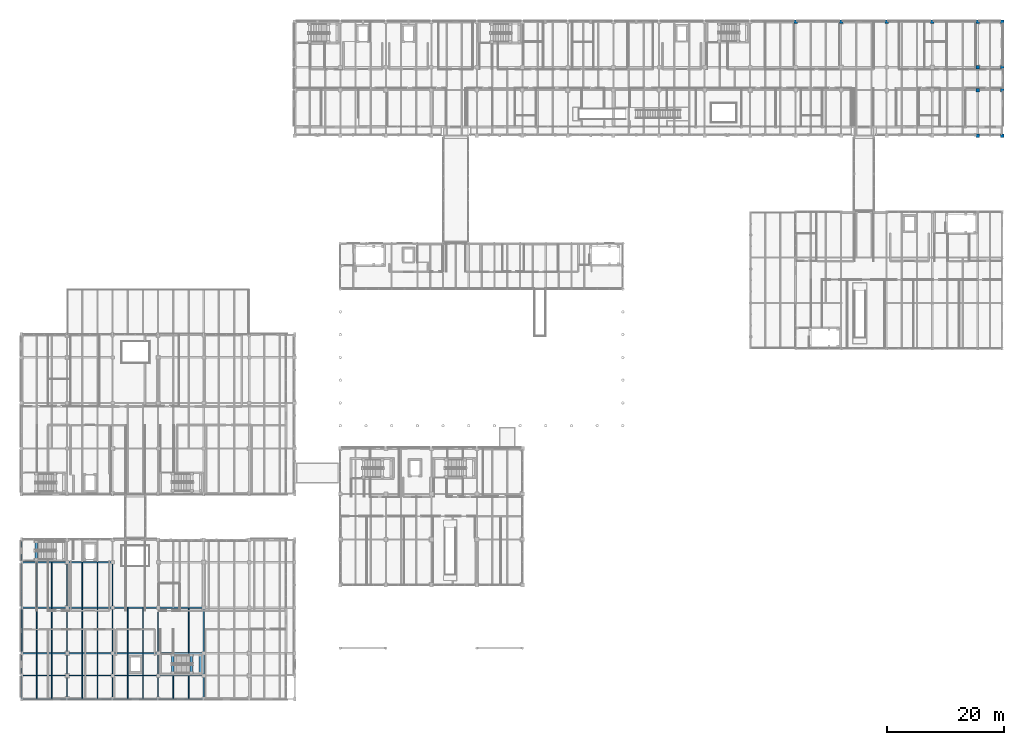
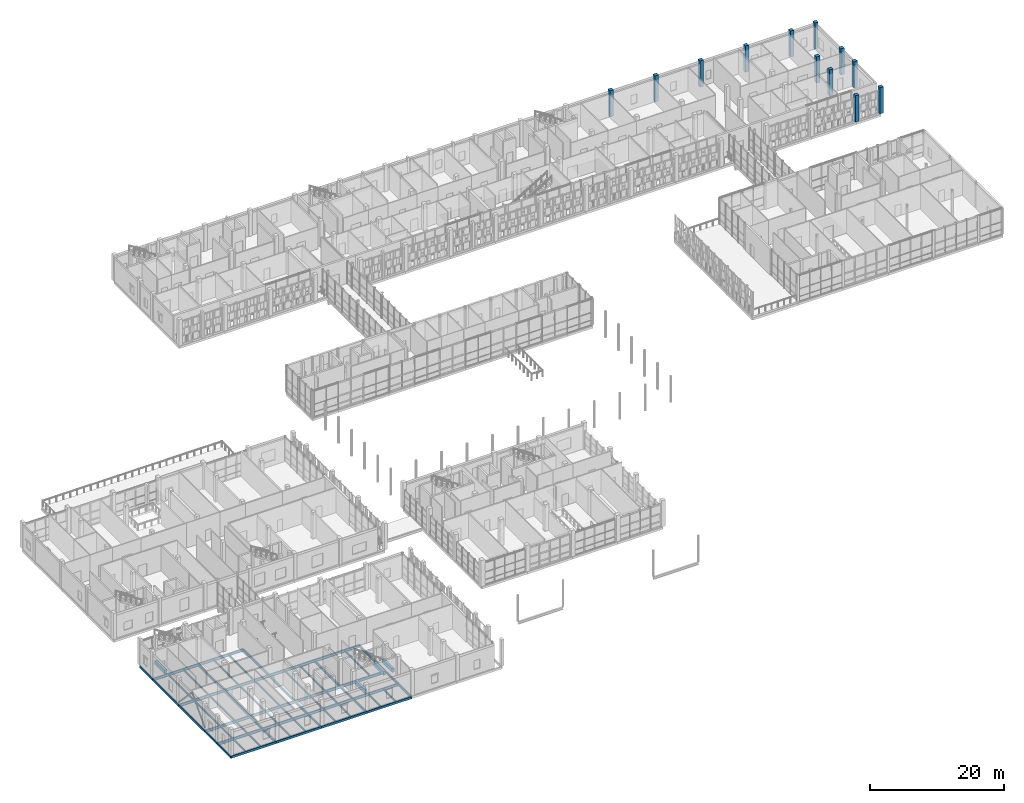
# One storey, part 20 of 138: 66 beams, 12 columns, 2 members.
"""IFC4 building model written with IfcOpenShell, lengths in metres."""

import ifcopenshell
import ifcopenshell.guid

model = None  # the IFC model being written
_history = None  # IfcOwnerHistory: only IFC2X3 demands one
_inside = {}  # id of a spatial element -> (the spatial element, [elements in it])
_under = {}  # id of a project, library or spatial element -> (it, [spatial elements below it])
_declared = {}  # id of a project -> (the project, [libraries it declares])
_typed = {}  # id of a type object -> (the type object, [elements of that type])
_made_of = {}  # id of a material, layer set ... -> (it, [elements and type objects made of it])


def new_model(schema):
    """Start an empty IFC model of exactly this schema.

    Asked for "IFC4X3", IfcOpenShell would pick the latest addendum, in which some entities
    have other attributes; the version numbers below select the first issue.
    IFC2X3 requires an IfcOwnerHistory on every rooted entity: one is made here for all.
    """
    global model, _history
    if schema == "IFC4X3":
        model = ifcopenshell.file(schema_version=(4, 3, 0, 0))
    else:
        model = ifcopenshell.file(schema=schema)
    _inside.clear()
    _under.clear()
    _declared.clear()
    _typed.clear()
    _made_of.clear()
    _history = None
    if model.schema == "IFC2X3":
        org = make("IfcOrganization", Name="unknown")
        user = make(
            "IfcPersonAndOrganization",
            ThePerson=make("IfcPerson", FamilyName="unknown"),
            TheOrganization=org,
        )
        app = make(
            "IfcApplication",
            ApplicationDeveloper=org,
            Version="unknown",
            ApplicationFullName="unknown",
            ApplicationIdentifier="unknown",
        )
        _history = make(
            "IfcOwnerHistory",
            OwningUser=user,
            OwningApplication=app,
            ChangeAction="ADDED",
            CreationDate=0,
        )
    return model


def make(cls, **values):
    """One entity of the class cls with the attributes given. An attribute that is None is left unset."""
    return model.create_entity(
        cls, **{name: value for name, value in values.items() if value is not None}
    )


def rooted(cls, **values):
    """An entity with a GlobalId (a new one), such as an element, a storey or a relation."""
    return make(cls, GlobalId=ifcopenshell.guid.new(), OwnerHistory=_history, **values)


def si_unit(unit_type, name, prefix=None):
    """IfcSIUnit, for example si_unit("LENGTHUNIT", "METRE", prefix="MILLI")."""
    return make("IfcSIUnit", UnitType=unit_type, Prefix=prefix, Name=name)


def assignment(units):
    """IfcUnitAssignment: the units of a project."""
    return None if units is None else make("IfcUnitAssignment", Units=units)


def point(xyz):
    """IfcCartesianPoint."""
    return None if xyz is None else make("IfcCartesianPoint", Coordinates=xyz)


def direction(xyz):
    """IfcDirection."""
    return None if xyz is None else make("IfcDirection", DirectionRatios=xyz)


def frame(location, z_axis=None, x_axis=None):
    """IfcAxis2Placement3D, a coordinate frame: its origin and axes. An axis left out is left unset."""
    return make(
        "IfcAxis2Placement3D",
        Location=point(location),
        Axis=direction(z_axis),
        RefDirection=direction(x_axis),
    )


def frame_2d(location, x_axis=None):
    """IfcAxis2Placement2D, a coordinate frame in the plane: its origin and x axis."""
    return make(
        "IfcAxis2Placement2D", Location=point(location), RefDirection=direction(x_axis)
    )


def origin():
    """The frame at (0, 0, 0) with its axes left unset."""
    return frame((0.0, 0.0, 0.0))


def origin_2d():
    """The frame at (0, 0) in the plane with its x axis left unset."""
    return frame_2d((0.0, 0.0))


def place(relative_to, where):
    """IfcLocalPlacement: puts the frame where relative to a parent placement (None: the world)."""
    return make(
        "IfcLocalPlacement", PlacementRelTo=relative_to, RelativePlacement=where
    )


def context(
    kind, dimensions, precision=None, world=None, true_north=None, identifier=None
):
    """IfcGeometricRepresentationContext, for example the 3D "Model" context."""
    return make(
        "IfcGeometricRepresentationContext",
        ContextIdentifier=identifier,
        ContextType=kind,
        CoordinateSpaceDimension=dimensions,
        Precision=precision,
        WorldCoordinateSystem=world,
        TrueNorth=true_north,
    )


def subcontext(parent, identifier, kind, view, scale=None):
    """IfcGeometricRepresentationSubContext, for example "Body" below "Model"."""
    return make(
        "IfcGeometricRepresentationSubContext",
        ContextIdentifier=identifier,
        ContextType=kind,
        ParentContext=parent,
        TargetScale=scale,
        TargetView=view,
    )


def project(units=None, contexts=None):
    """IfcProject with its units and contexts."""
    return rooted(
        "IfcProject",
        Name="project",
        RepresentationContexts=contexts,
        UnitsInContext=assignment(units),
    )


def spatial(cls, under=None, at=None, **own):
    """A site, building, storey or space (cls), placed at a placement, below another one or the project."""
    s = rooted(cls, ObjectPlacement=at, **own)
    if under is not None:
        _under.setdefault(under.id(), (under, []))[1].append(s)
    return s


def profile(cls, at=None, kind="AREA", **sizes):
    """A parametric profile (cls). Its sizes go by their IFC names, for example OverallWidth=200.0."""
    return make(cls, ProfileType=kind, Position=at, **sizes)


def rectangle(**sizes):
    """IfcRectangleProfileDef."""
    return profile("IfcRectangleProfileDef", **sizes)


def hollow_rectangle(**sizes):
    """IfcRectangleHollowProfileDef."""
    return profile("IfcRectangleHollowProfileDef", **sizes)


def hollow_circle(**sizes):
    """IfcCircleHollowProfileDef."""
    return profile("IfcCircleHollowProfileDef", **sizes)


def i_section(**sizes):
    """IfcIShapeProfileDef."""
    return profile("IfcIShapeProfileDef", **sizes)


def extrude(swept, where, along, depth):
    """IfcExtrudedAreaSolid: the profile swept, set in the frame where, extruded along a direction by depth."""
    return make(
        "IfcExtrudedAreaSolid",
        SweptArea=swept,
        Position=where,
        ExtrudedDirection=direction(along),
        Depth=depth,
    )


def shape(context_of_items, identifier, shape_type, items):
    """IfcShapeRepresentation: the items that make up one representation, for example the "Body"."""
    return make(
        "IfcShapeRepresentation",
        ContextOfItems=context_of_items,
        RepresentationIdentifier=identifier,
        RepresentationType=shape_type,
        Items=items,
    )


def material(Name=None, Category=None):
    """IfcMaterial."""
    return make("IfcMaterial", Name=Name, Category=Category)


def material_profile(
    of_material, cross_section, Name=None, Category=None, Priority=None
):
    """IfcMaterialProfile: a cross section and its material."""
    return make(
        "IfcMaterialProfile",
        Name=Name,
        Material=of_material,
        Profile=cross_section,
        Priority=Priority,
        Category=Category,
    )


def profile_set(profiles, Name=None, composite=None):
    """IfcMaterialProfileSet."""
    return make(
        "IfcMaterialProfileSet",
        Name=Name,
        MaterialProfiles=profiles,
        CompositeProfile=composite,
    )


def made_of(thing, what):
    """Note that an element or type object is made of a material, layer set ...; save() writes the relation."""
    if what is not None:
        _made_of.setdefault(what.id(), (what, []))[1].append(thing)
    return thing


def type_object(cls, material=None, **own):
    """A type object (cls), such as IfcWallType, which elements share."""
    return made_of(rooted(cls, **own), material)


def element(
    cls,
    number,
    at=None,
    inside=None,
    cuts=None,
    type_object=None,
    material=None,
    context=None,
    identifier="Body",
    shape_type=None,
    held_by="IfcProductDefinitionShape",
    body=None,
    shapes=None,
    **own,
):
    """One element of the class cls, such as IfcWall. Its Tag is "e" and its number.

    at: its placement. inside: the storey or other place that contains it. cuts: it is an
    opening in that element (IfcRelVoidsElement). A single representation is given by context,
    identifier, shape_type and body (its items); several are given by shapes. held_by: the class
    of the entity that holds the representations. save() writes the other relations.
    """
    e = rooted(cls, Tag="e%d" % number, ObjectPlacement=at, **own)
    if body is not None:
        shapes = [shape(context, identifier, shape_type, body)]
    if shapes is not None:
        e.Representation = make(held_by, Representations=shapes)
    if inside is not None:
        _inside.setdefault(inside.id(), (inside, []))[1].append(e)
    if cuts is not None:
        rooted(
            "IfcRelVoidsElement", RelatingBuildingElement=cuts, RelatedOpeningElement=e
        )
    if type_object is not None:
        _typed.setdefault(type_object.id(), (type_object, []))[1].append(e)
    return made_of(e, material)


def aggregate(whole, parts):
    """IfcRelAggregates: a whole, such as a stair, and the parts it consists of."""
    return rooted("IfcRelAggregates", RelatingObject=whole, RelatedObjects=parts)


def save(model, path):
    """Write the relations noted so far, then the file.

    IfcRelAggregates (storeys below a building ...), IfcRelContainedInSpatialStructure (elements
    in a storey), IfcRelDefinesByType, IfcRelAssociatesMaterial and IfcRelDeclares: one each for
    every whole, place, type object, material and project.
    """
    for whole, parts in _under.values():
        aggregate(whole, parts)
    for where, things in _inside.values():
        rooted(
            "IfcRelContainedInSpatialStructure",
            RelatedElements=things,
            RelatingStructure=where,
        )
    for kind, things in _typed.values():
        rooted("IfcRelDefinesByType", RelatedObjects=things, RelatingType=kind)
    for what, things in _made_of.values():
        rooted("IfcRelAssociatesMaterial", RelatedObjects=things, RelatingMaterial=what)
    for by, libraries in _declared.values():
        rooted("IfcRelDeclares", RelatingContext=by, RelatedDefinitions=libraries)
    model.write(path)


model = new_model("IFC4")

# Units and contexts
model_context = context("Model", 3, precision=1e-05, world=origin(), true_north=direction((0.0, 1.0)))
body_context = subcontext(model_context, "Body", "Model", "MODEL_VIEW")
ifc_project = project(units=[si_unit("LENGTHUNIT", "METRE"), si_unit("AREAUNIT", "SQUARE_METRE"), si_unit("VOLUMEUNIT", "CUBIC_METRE"), si_unit("PLANEANGLEUNIT", "RADIAN"), si_unit("MASSUNIT", "GRAM", prefix="KILO")], contexts=[model_context])

# Site, building, storey
site_placement = place(None, origin())
site = spatial("IfcSite", under=ifc_project, at=site_placement, CompositionType="ELEMENT")
building_placement = place(site_placement, origin())
building = spatial("IfcBuilding", under=site, at=building_placement, Name="Celorna Specialist Clinic", CompositionType="ELEMENT")
storey_placement = place(building_placement, frame((0.0, 0.0, 4.800048828125)))
storey = spatial("IfcBuildingStorey", under=building, at=storey_placement, Name="L01", CompositionType="ELEMENT", Elevation=4.800048828125)

# Columns
ifc_material_1 = material(Name="Concrete C40/50", Category="concrete")
ifc_material_profile_1 = material_profile(ifc_material_1, rectangle(XDim=0.60009765625, YDim=0.60009765625, at=origin_2d()), Name="RC 600x600")
ifc_profile_set_1 = profile_set([ifc_material_profile_1], Name="Concrete C40/50")
column_type = type_object("IfcColumnType", Name="CT-04", PredefinedType="COLUMN", material=ifc_profile_set_1)
for number, where, z_axis, x_axis, name in (
    (1, (132.60009765625, 116.0, 0.0), (0.0, 0.0, 1.0), (1.0, 0.0, 0.0), "Column CT-04 L01 X18/YU"),
    (2, (140.39990234375, 116.0, 0.0), (0.0, 0.0, 1.0), (1.0, 0.0, 0.0), "Column CT-04 L01 X19/YU"),
    (3, (148.199951171875, 116.0, 0.0), (0.0, 0.0, 1.0), (1.0, 0.0, 0.0), "Column CT-04 L01 X20/YU"),
    (4, (156.0, 116.0, 0.0), (0.0, 0.0, 1.0), (1.0, 0.0, 0.0), "Column CT-04 L01 X21/YU"),
    (5, (163.800048828125, 96.5, 0.0), (0.0, 0.0, 1.0), (1.0, 0.0, 0.0), "Column CT-04 L01 X22/YR"),
    (6, (163.800048828125, 104.300048828125, 0.0), (0.0, 0.0, 1.0), (1.0, 0.0, 0.0), "Column CT-04 L01 X22/YS"),
    (7, (163.800048828125, 108.199951171875, 0.0), (0.0, 0.0, 1.0), (1.0, 0.0, 0.0), "Column CT-04 L01 X22/YT"),
    (8, (163.800048828125, 116.0, 0.0), (0.0, 0.0, 1.0), (1.0, 0.0, 0.0), "Column CT-04 L01 X22/YU"),
    (9, (168.0, 96.5, 0.0), (0.0, 0.0, 1.0), (1.0, 0.0, 0.0), "Column CT-04 L01 X23/YR"),
    (10, (168.0, 104.300048828125, 0.0), (0.0, 0.0, 1.0), (1.0, 0.0, 0.0), "Column CT-04 L01 X23/YS"),
    (11, (168.0, 108.199951171875, 0.0), (0.0, 0.0, 1.0), (1.0, 0.0, 0.0), "Column CT-04 L01 X23/YT"),
    (12, (168.0, 116.0, 0.0), (0.0, 0.0, 1.0), (1.0, 0.0, 0.0), "Column CT-04 L01 X23/YU"),
):
    element("IfcColumn", number, at=place(storey_placement, frame(where, z_axis=z_axis, x_axis=x_axis)), inside=storey, type_object=column_type, Name=name, PredefinedType="COLUMN", context=body_context, shape_type="SweptSolid", body=[
        extrude(rectangle(XDim=0.60009765625, YDim=0.60009765625, at=origin_2d()), origin(), (0.0, 0.0, 1.0), 4.800048828125),
    ])

# Beams
ifc_material_2 = material(Name="Steel S355", Category="steel")
ifc_material_profile_2 = material_profile(ifc_material_2, i_section(OverallWidth=0.199951171875, OverallDepth=0.5, WebThickness=0.01025390625, FlangeThickness=0.01611328125, at=origin_2d()), Name="IPE 500")
ifc_profile_set_2 = profile_set([ifc_material_profile_2], Name="Steel S355")
beam_type_1 = type_object("IfcBeamType", Name="BM-08", PredefinedType="BEAM", material=ifc_profile_set_2)
for number, where, z_axis, x_axis, name in (
    (13, (0.0, 4.0, -0.510009765625), (1.0, 0.0, 0.0), (0.0, 1.0, 0.0), "Primary girder BM-08 #1589"),
    (14, (7.800048828125, 4.0, -0.510009765625), (1.0, 0.0, 0.0), (0.0, 1.0, 0.0), "Primary girder BM-08 #1590"),
):
    element("IfcBeam", number, at=place(storey_placement, frame(where, z_axis=z_axis, x_axis=x_axis)), inside=storey, type_object=beam_type_1, Name=name, PredefinedType="BEAM", context=body_context, shape_type="SweptSolid", body=[
        extrude(i_section(OverallWidth=0.199951171875, OverallDepth=0.5, WebThickness=0.01025390625, FlangeThickness=0.01611328125, at=origin_2d()), origin(), (0.0, 0.0, 1.0), 7.800048828125),
    ])
beam_1_placement = place(storey_placement, frame((15.60009765625, 4.0, -0.510009765625), z_axis=(1.0, 0.0, 0.0), x_axis=(0.0, 1.0, 0.0)))
element("IfcBeam", 15, at=beam_1_placement, inside=storey, type_object=beam_type_1, Name="Primary girder BM-08 #1591", PredefinedType="BEAM", context=body_context, shape_type="SweptSolid", body=[
    extrude(i_section(OverallWidth=0.199951171875, OverallDepth=0.5, WebThickness=0.01025390625, FlangeThickness=0.01611328125, at=origin_2d()), origin(), (0.0, 0.0, 1.0), 7.7998046875),
])
for number, where, z_axis, x_axis, name in (
    (16, (23.39990234375, 4.0, -0.510009765625), (1.0, 0.0, 0.0), (0.0, 1.0, 0.0), "Primary girder BM-08 #1592"),
    (17, (0.0, 7.800048828125, -0.510009765625), (1.0, 0.0, 0.0), (0.0, 1.0, 0.0), "Primary girder BM-08 #1595"),
    (18, (7.800048828125, 7.800048828125, -0.510009765625), (1.0, 0.0, 0.0), (0.0, 1.0, 0.0), "Primary girder BM-08 #1596"),
):
    element("IfcBeam", number, at=place(storey_placement, frame(where, z_axis=z_axis, x_axis=x_axis)), inside=storey, type_object=beam_type_1, Name=name, PredefinedType="BEAM", context=body_context, shape_type="SweptSolid", body=[
        extrude(i_section(OverallWidth=0.199951171875, OverallDepth=0.5, WebThickness=0.01025390625, FlangeThickness=0.01611328125, at=origin_2d()), origin(), (0.0, 0.0, 1.0), 7.800048828125),
    ])
beam_2_placement = place(storey_placement, frame((15.60009765625, 7.800048828125, -0.510009765625), z_axis=(1.0, 0.0, 0.0), x_axis=(0.0, 1.0, 0.0)))
element("IfcBeam", 19, at=beam_2_placement, inside=storey, type_object=beam_type_1, Name="Primary girder BM-08 #1597", PredefinedType="BEAM", context=body_context, shape_type="SweptSolid", body=[
    extrude(i_section(OverallWidth=0.199951171875, OverallDepth=0.5, WebThickness=0.01025390625, FlangeThickness=0.01611328125, at=origin_2d()), origin(), (0.0, 0.0, 1.0), 7.7998046875),
])
for number, where, z_axis, x_axis, name in (
    (20, (23.39990234375, 7.800048828125, -0.510009765625), (1.0, 0.0, 0.0), (0.0, 1.0, 0.0), "Primary girder BM-08 #1598"),
    (21, (0.0, 15.60009765625, -0.510009765625), (1.0, 0.0, 0.0), (0.0, 1.0, 0.0), "Primary girder BM-08 #1601"),
    (22, (7.800048828125, 15.60009765625, -0.510009765625), (1.0, 0.0, 0.0), (0.0, 1.0, 0.0), "Primary girder BM-08 #1602"),
):
    element("IfcBeam", number, at=place(storey_placement, frame(where, z_axis=z_axis, x_axis=x_axis)), inside=storey, type_object=beam_type_1, Name=name, PredefinedType="BEAM", context=body_context, shape_type="SweptSolid", body=[
        extrude(i_section(OverallWidth=0.199951171875, OverallDepth=0.5, WebThickness=0.01025390625, FlangeThickness=0.01611328125, at=origin_2d()), origin(), (0.0, 0.0, 1.0), 7.800048828125),
    ])
beam_3_placement = place(storey_placement, frame((15.60009765625, 15.60009765625, -0.510009765625), z_axis=(1.0, 0.0, 0.0), x_axis=(0.0, 1.0, 0.0)))
element("IfcBeam", 23, at=beam_3_placement, inside=storey, type_object=beam_type_1, Name="Primary girder BM-08 #1603", PredefinedType="BEAM", context=body_context, shape_type="SweptSolid", body=[
    extrude(i_section(OverallWidth=0.199951171875, OverallDepth=0.5, WebThickness=0.01025390625, FlangeThickness=0.01611328125, at=origin_2d()), origin(), (0.0, 0.0, 1.0), 7.7998046875),
])
for number, where, z_axis, x_axis, name in (
    (24, (23.39990234375, 15.60009765625, -0.510009765625), (1.0, 0.0, 0.0), (0.0, 1.0, 0.0), "Primary girder BM-08 #1604"),
    (25, (0.0, 23.39990234375, -0.510009765625), (1.0, 0.0, 0.0), (0.0, 1.0, 0.0), "Primary girder BM-08 #1607"),
    (26, (7.800048828125, 23.39990234375, -0.510009765625), (1.0, 0.0, 0.0), (0.0, 1.0, 0.0), "Primary girder BM-08 #1608"),
):
    element("IfcBeam", number, at=place(storey_placement, frame(where, z_axis=z_axis, x_axis=x_axis)), inside=storey, type_object=beam_type_1, Name=name, PredefinedType="BEAM", context=body_context, shape_type="SweptSolid", body=[
        extrude(i_section(OverallWidth=0.199951171875, OverallDepth=0.5, WebThickness=0.01025390625, FlangeThickness=0.01611328125, at=origin_2d()), origin(), (0.0, 0.0, 1.0), 7.800048828125),
    ])
ifc_material_profile_3 = material_profile(ifc_material_2, i_section(OverallWidth=0.18994140625, OverallDepth=0.449951171875, WebThickness=0.009521484375, FlangeThickness=0.0146484375, at=origin_2d()), Name="IPE 450")
ifc_profile_set_3 = profile_set([ifc_material_profile_3], Name="Steel S355")
beam_type_2 = type_object("IfcBeamType", Name="BM-09", PredefinedType="BEAM", material=ifc_profile_set_3)
beam_4_placement = place(storey_placement, frame((7.800048828125, 0.0, -0.485107421875), z_axis=(0.0, 1.0, 0.0), x_axis=(-1.0, 0.0, 0.0)))
element("IfcBeam", 27, at=beam_4_placement, inside=storey, type_object=beam_type_2, Name="Transverse girder BM-09 #1623", PredefinedType="BEAM", context=body_context, shape_type="SweptSolid", body=[
    extrude(i_section(OverallWidth=0.18994140625, OverallDepth=0.449951171875, WebThickness=0.009521484375, FlangeThickness=0.0146484375, at=origin_2d()), origin(), (0.0, 0.0, 1.0), 4.0),
])
beam_5_placement = place(storey_placement, frame((7.800048828125, 4.0, -0.485107421875), z_axis=(0.0, 1.0, 0.0), x_axis=(-1.0, 0.0, 0.0)))
element("IfcBeam", 28, at=beam_5_placement, inside=storey, type_object=beam_type_2, Name="Transverse girder BM-09 #1624", PredefinedType="BEAM", context=body_context, shape_type="SweptSolid", body=[
    extrude(i_section(OverallWidth=0.18994140625, OverallDepth=0.449951171875, WebThickness=0.009521484375, FlangeThickness=0.0146484375, at=origin_2d()), origin(), (0.0, 0.0, 1.0), 3.800048828125),
])
beam_6_placement = place(storey_placement, frame((7.800048828125, 7.800048828125, -0.485107421875), z_axis=(0.0, 1.0, 0.0), x_axis=(-1.0, 0.0, 0.0)))
element("IfcBeam", 29, at=beam_6_placement, inside=storey, type_object=beam_type_2, Name="Transverse girder BM-09 #1625", PredefinedType="BEAM", context=body_context, shape_type="SweptSolid", body=[
    extrude(i_section(OverallWidth=0.18994140625, OverallDepth=0.449951171875, WebThickness=0.009521484375, FlangeThickness=0.0146484375, at=origin_2d()), origin(), (0.0, 0.0, 1.0), 7.800048828125),
])
beam_7_placement = place(storey_placement, frame((7.800048828125, 15.60009765625, -0.485107421875), z_axis=(0.0, 1.0, 0.0), x_axis=(-1.0, 0.0, 0.0)))
element("IfcBeam", 30, at=beam_7_placement, inside=storey, type_object=beam_type_2, Name="Transverse girder BM-09 #1626", PredefinedType="BEAM", context=body_context, shape_type="SweptSolid", body=[
    extrude(i_section(OverallWidth=0.18994140625, OverallDepth=0.449951171875, WebThickness=0.009521484375, FlangeThickness=0.0146484375, at=origin_2d()), origin(), (0.0, 0.0, 1.0), 7.7998046875),
])
beam_8_placement = place(storey_placement, frame((15.60009765625, 0.0, -0.485107421875), z_axis=(0.0, 1.0, 0.0), x_axis=(-1.0, 0.0, 0.0)))
element("IfcBeam", 31, at=beam_8_placement, inside=storey, type_object=beam_type_2, Name="Transverse girder BM-09 #1628", PredefinedType="BEAM", context=body_context, shape_type="SweptSolid", body=[
    extrude(i_section(OverallWidth=0.18994140625, OverallDepth=0.449951171875, WebThickness=0.009521484375, FlangeThickness=0.0146484375, at=origin_2d()), origin(), (0.0, 0.0, 1.0), 4.0),
])
beam_9_placement = place(storey_placement, frame((15.60009765625, 4.0, -0.485107421875), z_axis=(0.0, 1.0, 0.0), x_axis=(-1.0, 0.0, 0.0)))
element("IfcBeam", 32, at=beam_9_placement, inside=storey, type_object=beam_type_2, Name="Transverse girder BM-09 #1629", PredefinedType="BEAM", context=body_context, shape_type="SweptSolid", body=[
    extrude(i_section(OverallWidth=0.18994140625, OverallDepth=0.449951171875, WebThickness=0.009521484375, FlangeThickness=0.0146484375, at=origin_2d()), origin(), (0.0, 0.0, 1.0), 3.800048828125),
])
beam_10_placement = place(storey_placement, frame((15.60009765625, 7.800048828125, -0.485107421875), z_axis=(0.0, 1.0, 0.0), x_axis=(-1.0, 0.0, 0.0)))
element("IfcBeam", 33, at=beam_10_placement, inside=storey, type_object=beam_type_2, Name="Transverse girder BM-09 #1630", PredefinedType="BEAM", context=body_context, shape_type="SweptSolid", body=[
    extrude(i_section(OverallWidth=0.18994140625, OverallDepth=0.449951171875, WebThickness=0.009521484375, FlangeThickness=0.0146484375, at=origin_2d()), origin(), (0.0, 0.0, 1.0), 7.800048828125),
])
beam_11_placement = place(storey_placement, frame((15.60009765625, 15.60009765625, -0.485107421875), z_axis=(0.0, 1.0, 0.0), x_axis=(-1.0, 0.0, 0.0)))
element("IfcBeam", 34, at=beam_11_placement, inside=storey, type_object=beam_type_2, Name="Transverse girder BM-09 #1631", PredefinedType="BEAM", context=body_context, shape_type="SweptSolid", body=[
    extrude(i_section(OverallWidth=0.18994140625, OverallDepth=0.449951171875, WebThickness=0.009521484375, FlangeThickness=0.0146484375, at=origin_2d()), origin(), (0.0, 0.0, 1.0), 7.7998046875),
])
beam_12_placement = place(storey_placement, frame((23.39990234375, 0.0, -0.485107421875), z_axis=(0.0, 1.0, 0.0), x_axis=(-1.0, 0.0, 0.0)))
element("IfcBeam", 35, at=beam_12_placement, inside=storey, type_object=beam_type_2, Name="Transverse girder BM-09 #1633", PredefinedType="BEAM", context=body_context, shape_type="SweptSolid", body=[
    extrude(i_section(OverallWidth=0.18994140625, OverallDepth=0.449951171875, WebThickness=0.009521484375, FlangeThickness=0.0146484375, at=origin_2d()), origin(), (0.0, 0.0, 1.0), 4.0),
])
beam_13_placement = place(storey_placement, frame((23.39990234375, 4.0, -0.485107421875), z_axis=(0.0, 1.0, 0.0), x_axis=(-1.0, 0.0, 0.0)))
element("IfcBeam", 36, at=beam_13_placement, inside=storey, type_object=beam_type_2, Name="Transverse girder BM-09 #1634", PredefinedType="BEAM", context=body_context, shape_type="SweptSolid", body=[
    extrude(i_section(OverallWidth=0.18994140625, OverallDepth=0.449951171875, WebThickness=0.009521484375, FlangeThickness=0.0146484375, at=origin_2d()), origin(), (0.0, 0.0, 1.0), 3.800048828125),
])
beam_14_placement = place(storey_placement, frame((23.39990234375, 7.800048828125, -0.485107421875), z_axis=(0.0, 1.0, 0.0), x_axis=(-1.0, 0.0, 0.0)))
element("IfcBeam", 37, at=beam_14_placement, inside=storey, type_object=beam_type_2, Name="Transverse girder BM-09 #1635", PredefinedType="BEAM", context=body_context, shape_type="SweptSolid", body=[
    extrude(i_section(OverallWidth=0.18994140625, OverallDepth=0.449951171875, WebThickness=0.009521484375, FlangeThickness=0.0146484375, at=origin_2d()), origin(), (0.0, 0.0, 1.0), 7.800048828125),
])
beam_15_placement = place(storey_placement, frame((31.199951171875, 0.0, -0.485107421875), z_axis=(0.0, 1.0, 0.0), x_axis=(-1.0, 0.0, 0.0)))
element("IfcBeam", 38, at=beam_15_placement, inside=storey, type_object=beam_type_2, Name="Transverse girder BM-09 #1638", PredefinedType="BEAM", context=body_context, shape_type="SweptSolid", body=[
    extrude(i_section(OverallWidth=0.18994140625, OverallDepth=0.449951171875, WebThickness=0.009521484375, FlangeThickness=0.0146484375, at=origin_2d()), origin(), (0.0, 0.0, 1.0), 4.0),
])
beam_16_placement = place(storey_placement, frame((31.199951171875, 4.0, -0.485107421875), z_axis=(0.0, 1.0, 0.0), x_axis=(-1.0, 0.0, 0.0)))
element("IfcBeam", 39, at=beam_16_placement, inside=storey, type_object=beam_type_2, Name="Transverse girder BM-09 #1639", PredefinedType="BEAM", context=body_context, shape_type="SweptSolid", body=[
    extrude(i_section(OverallWidth=0.18994140625, OverallDepth=0.449951171875, WebThickness=0.009521484375, FlangeThickness=0.0146484375, at=origin_2d()), origin(), (0.0, 0.0, 1.0), 3.800048828125),
])
beam_17_placement = place(storey_placement, frame((31.199951171875, 7.800048828125, -0.485107421875), z_axis=(0.0, 1.0, 0.0), x_axis=(-1.0, 0.0, 0.0)))
element("IfcBeam", 40, at=beam_17_placement, inside=storey, type_object=beam_type_2, Name="Transverse girder BM-09 #1640", PredefinedType="BEAM", context=body_context, shape_type="SweptSolid", body=[
    extrude(i_section(OverallWidth=0.18994140625, OverallDepth=0.449951171875, WebThickness=0.009521484375, FlangeThickness=0.0146484375, at=origin_2d()), origin(), (0.0, 0.0, 1.0), 7.800048828125),
])
ifc_material_profile_4 = material_profile(ifc_material_2, i_section(OverallWidth=0.159912109375, OverallDepth=0.330078125, WebThickness=0.007568359375, FlangeThickness=0.011474609375, at=origin_2d()), Name="IPE 330")
ifc_profile_set_4 = profile_set([ifc_material_profile_4], Name="Steel S355")
beam_type_3 = type_object("IfcBeamType", Name="BM-12", PredefinedType="JOIST", material=ifc_profile_set_4)
for number, where, z_axis, x_axis, name in (
    (41, (2.60009765625, 0.087890625, -0.425048828125), (0.0, 1.0, 0.0), (-1.0, 0.0, 0.0), "Secondary floor joist BM-12 #1653"),
    (42, (5.199951171875, 0.087890625, -0.425048828125), (0.0, 1.0, 0.0), (-1.0, 0.0, 0.0), "Secondary floor joist BM-12 #1654"),
):
    element("IfcBeam", number, at=place(storey_placement, frame(where, z_axis=z_axis, x_axis=x_axis)), inside=storey, type_object=beam_type_3, Name=name, PredefinedType="JOIST", context=body_context, shape_type="SweptSolid", body=[
        extrude(i_section(OverallWidth=0.159912109375, OverallDepth=0.330078125, WebThickness=0.007568359375, FlangeThickness=0.011474609375, at=origin_2d()), origin(), (0.0, 0.0, 1.0), 3.82421875),
    ])
for number, where, z_axis, x_axis, name in (
    (43, (2.60009765625, 4.087890625, -0.425048828125), (0.0, 1.0, 0.0), (-1.0, 0.0, 0.0), "Secondary floor joist BM-12 #1655"),
    (44, (5.199951171875, 4.087890625, -0.425048828125), (0.0, 1.0, 0.0), (-1.0, 0.0, 0.0), "Secondary floor joist BM-12 #1656"),
):
    element("IfcBeam", number, at=place(storey_placement, frame(where, z_axis=z_axis, x_axis=x_axis)), inside=storey, type_object=beam_type_3, Name=name, PredefinedType="JOIST", context=body_context, shape_type="SweptSolid", body=[
        extrude(i_section(OverallWidth=0.159912109375, OverallDepth=0.330078125, WebThickness=0.007568359375, FlangeThickness=0.011474609375, at=origin_2d()), origin(), (0.0, 0.0, 1.0), 3.6240234375),
    ])
for number, where, z_axis, x_axis, name in (
    (45, (2.60009765625, 7.887939453125, -0.425048828125), (0.0, 1.0, 0.0), (-1.0, 0.0, 0.0), "Secondary floor joist BM-12 #1657"),
    (46, (5.199951171875, 7.887939453125, -0.425048828125), (0.0, 1.0, 0.0), (-1.0, 0.0, 0.0), "Secondary floor joist BM-12 #1658"),
    (47, (2.60009765625, 15.68798828125, -0.425048828125), (0.0, 1.0, 0.0), (-1.0, 0.0, 0.0), "Secondary floor joist BM-12 #1659"),
    (48, (5.199951171875, 15.68798828125, -0.425048828125), (0.0, 1.0, 0.0), (-1.0, 0.0, 0.0), "Secondary floor joist BM-12 #1660"),
):
    element("IfcBeam", number, at=place(storey_placement, frame(where, z_axis=z_axis, x_axis=x_axis)), inside=storey, type_object=beam_type_3, Name=name, PredefinedType="JOIST", context=body_context, shape_type="SweptSolid", body=[
        extrude(i_section(OverallWidth=0.159912109375, OverallDepth=0.330078125, WebThickness=0.007568359375, FlangeThickness=0.011474609375, at=origin_2d()), origin(), (0.0, 0.0, 1.0), 7.6240234375),
    ])
for number, where, z_axis, x_axis, name in (
    (49, (10.39990234375, 0.087890625, -0.425048828125), (0.0, 1.0, 0.0), (-1.0, 0.0, 0.0), "Secondary floor joist BM-12 #1661"),
    (50, (13.0, 0.087890625, -0.425048828125), (0.0, 1.0, 0.0), (-1.0, 0.0, 0.0), "Secondary floor joist BM-12 #1662"),
):
    element("IfcBeam", number, at=place(storey_placement, frame(where, z_axis=z_axis, x_axis=x_axis)), inside=storey, type_object=beam_type_3, Name=name, PredefinedType="JOIST", context=body_context, shape_type="SweptSolid", body=[
        extrude(i_section(OverallWidth=0.159912109375, OverallDepth=0.330078125, WebThickness=0.007568359375, FlangeThickness=0.011474609375, at=origin_2d()), origin(), (0.0, 0.0, 1.0), 3.82421875),
    ])
for number, where, z_axis, x_axis, name in (
    (51, (10.39990234375, 4.087890625, -0.425048828125), (0.0, 1.0, 0.0), (-1.0, 0.0, 0.0), "Secondary floor joist BM-12 #1663"),
    (52, (13.0, 4.087890625, -0.425048828125), (0.0, 1.0, 0.0), (-1.0, 0.0, 0.0), "Secondary floor joist BM-12 #1664"),
):
    element("IfcBeam", number, at=place(storey_placement, frame(where, z_axis=z_axis, x_axis=x_axis)), inside=storey, type_object=beam_type_3, Name=name, PredefinedType="JOIST", context=body_context, shape_type="SweptSolid", body=[
        extrude(i_section(OverallWidth=0.159912109375, OverallDepth=0.330078125, WebThickness=0.007568359375, FlangeThickness=0.011474609375, at=origin_2d()), origin(), (0.0, 0.0, 1.0), 3.6240234375),
    ])
for number, where, z_axis, x_axis, name in (
    (53, (10.39990234375, 7.887939453125, -0.425048828125), (0.0, 1.0, 0.0), (-1.0, 0.0, 0.0), "Secondary floor joist BM-12 #1665"),
    (54, (13.0, 7.887939453125, -0.425048828125), (0.0, 1.0, 0.0), (-1.0, 0.0, 0.0), "Secondary floor joist BM-12 #1666"),
    (55, (10.39990234375, 15.68798828125, -0.425048828125), (0.0, 1.0, 0.0), (-1.0, 0.0, 0.0), "Secondary floor joist BM-12 #1667"),
    (56, (13.0, 15.68798828125, -0.425048828125), (0.0, 1.0, 0.0), (-1.0, 0.0, 0.0), "Secondary floor joist BM-12 #1668"),
):
    element("IfcBeam", number, at=place(storey_placement, frame(where, z_axis=z_axis, x_axis=x_axis)), inside=storey, type_object=beam_type_3, Name=name, PredefinedType="JOIST", context=body_context, shape_type="SweptSolid", body=[
        extrude(i_section(OverallWidth=0.159912109375, OverallDepth=0.330078125, WebThickness=0.007568359375, FlangeThickness=0.011474609375, at=origin_2d()), origin(), (0.0, 0.0, 1.0), 7.6240234375),
    ])
for number, where, z_axis, x_axis, name in (
    (57, (18.199951171875, 0.087890625, -0.425048828125), (0.0, 1.0, 0.0), (-1.0, 0.0, 0.0), "Secondary floor joist BM-12 #1671"),
    (58, (20.800048828125, 0.087890625, -0.425048828125), (0.0, 1.0, 0.0), (-1.0, 0.0, 0.0), "Secondary floor joist BM-12 #1672"),
):
    element("IfcBeam", number, at=place(storey_placement, frame(where, z_axis=z_axis, x_axis=x_axis)), inside=storey, type_object=beam_type_3, Name=name, PredefinedType="JOIST", context=body_context, shape_type="SweptSolid", body=[
        extrude(i_section(OverallWidth=0.159912109375, OverallDepth=0.330078125, WebThickness=0.007568359375, FlangeThickness=0.011474609375, at=origin_2d()), origin(), (0.0, 0.0, 1.0), 3.82421875),
    ])
for number, where, z_axis, x_axis, name in (
    (59, (18.199951171875, 4.087890625, -0.425048828125), (0.0, 1.0, 0.0), (-1.0, 0.0, 0.0), "Secondary floor joist BM-12 #1673"),
    (60, (20.800048828125, 4.087890625, -0.425048828125), (0.0, 1.0, 0.0), (-1.0, 0.0, 0.0), "Secondary floor joist BM-12 #1674"),
):
    element("IfcBeam", number, at=place(storey_placement, frame(where, z_axis=z_axis, x_axis=x_axis)), inside=storey, type_object=beam_type_3, Name=name, PredefinedType="JOIST", context=body_context, shape_type="SweptSolid", body=[
        extrude(i_section(OverallWidth=0.159912109375, OverallDepth=0.330078125, WebThickness=0.007568359375, FlangeThickness=0.011474609375, at=origin_2d()), origin(), (0.0, 0.0, 1.0), 3.6240234375),
    ])
for number, where, z_axis, x_axis, name in (
    (61, (18.199951171875, 7.887939453125, -0.425048828125), (0.0, 1.0, 0.0), (-1.0, 0.0, 0.0), "Secondary floor joist BM-12 #1675"),
    (62, (20.800048828125, 7.887939453125, -0.425048828125), (0.0, 1.0, 0.0), (-1.0, 0.0, 0.0), "Secondary floor joist BM-12 #1676"),
):
    element("IfcBeam", number, at=place(storey_placement, frame(where, z_axis=z_axis, x_axis=x_axis)), inside=storey, type_object=beam_type_3, Name=name, PredefinedType="JOIST", context=body_context, shape_type="SweptSolid", body=[
        extrude(i_section(OverallWidth=0.159912109375, OverallDepth=0.330078125, WebThickness=0.007568359375, FlangeThickness=0.011474609375, at=origin_2d()), origin(), (0.0, 0.0, 1.0), 7.6240234375),
    ])
for number, where, z_axis, x_axis, name in (
    (63, (26.0, 0.087890625, -0.425048828125), (0.0, 1.0, 0.0), (-1.0, 0.0, 0.0), "Secondary floor joist BM-12 #1677"),
    (64, (28.60009765625, 0.087890625, -0.425048828125), (0.0, 1.0, 0.0), (-1.0, 0.0, 0.0), "Secondary floor joist BM-12 #1678"),
):
    element("IfcBeam", number, at=place(storey_placement, frame(where, z_axis=z_axis, x_axis=x_axis)), inside=storey, type_object=beam_type_3, Name=name, PredefinedType="JOIST", context=body_context, shape_type="SweptSolid", body=[
        extrude(i_section(OverallWidth=0.159912109375, OverallDepth=0.330078125, WebThickness=0.007568359375, FlangeThickness=0.011474609375, at=origin_2d()), origin(), (0.0, 0.0, 1.0), 3.82421875),
    ])
beam_18_placement = place(storey_placement, frame((28.60009765625, 7.887939453125, -0.425048828125), z_axis=(0.0, 1.0, 0.0), x_axis=(-1.0, 0.0, 0.0)))
element("IfcBeam", 65, at=beam_18_placement, inside=storey, type_object=beam_type_3, Name="Secondary floor joist BM-12 #1679", PredefinedType="JOIST", context=body_context, shape_type="SweptSolid", body=[
    extrude(i_section(OverallWidth=0.159912109375, OverallDepth=0.330078125, WebThickness=0.007568359375, FlangeThickness=0.011474609375, at=origin_2d()), origin(), (0.0, 0.0, 1.0), 7.6240234375),
])
ifc_material_profile_5 = material_profile(ifc_material_2, hollow_rectangle(XDim=0.199951171875, YDim=0.39990234375, WallThickness=0.011962890625, at=origin_2d()), Name="RHS 200x400x12")
ifc_profile_set_5 = profile_set([ifc_material_profile_5], Name="Steel S355")
beam_type_4 = type_object("IfcBeamType", Name="BM-15", PredefinedType="SPANDREL", material=ifc_profile_set_5)
for number, where, z_axis, x_axis, name in (
    (66, (0.0, 0.0, -0.4599609375), (1.0, 0.0, 0.0), (0.0, 1.0, 0.0), "Spandrel beam BM-15 #1583"),
    (67, (7.800048828125, 0.0, -0.4599609375), (1.0, 0.0, 0.0), (0.0, 1.0, 0.0), "Spandrel beam BM-15 #1584"),
):
    element("IfcBeam", number, at=place(storey_placement, frame(where, z_axis=z_axis, x_axis=x_axis)), inside=storey, type_object=beam_type_4, Name=name, PredefinedType="SPANDREL", context=body_context, shape_type="SweptSolid", body=[
        extrude(hollow_rectangle(XDim=0.199951171875, YDim=0.39990234375, WallThickness=0.011962890625, at=origin_2d()), origin(), (0.0, 0.0, 1.0), 7.800048828125),
    ])
beam_19_placement = place(storey_placement, frame((15.60009765625, 0.0, -0.4599609375), z_axis=(1.0, 0.0, 0.0), x_axis=(0.0, 1.0, 0.0)))
element("IfcBeam", 68, at=beam_19_placement, inside=storey, type_object=beam_type_4, Name="Spandrel beam BM-15 #1585", PredefinedType="SPANDREL", context=body_context, shape_type="SweptSolid", body=[
    extrude(hollow_rectangle(XDim=0.199951171875, YDim=0.39990234375, WallThickness=0.011962890625, at=origin_2d()), origin(), (0.0, 0.0, 1.0), 7.7998046875),
])
beam_20_placement = place(storey_placement, frame((23.39990234375, 0.0, -0.4599609375), z_axis=(1.0, 0.0, 0.0), x_axis=(0.0, 1.0, 0.0)))
element("IfcBeam", 69, at=beam_20_placement, inside=storey, type_object=beam_type_4, Name="Spandrel beam BM-15 #1586", PredefinedType="SPANDREL", context=body_context, shape_type="SweptSolid", body=[
    extrude(hollow_rectangle(XDim=0.199951171875, YDim=0.39990234375, WallThickness=0.011962890625, at=origin_2d()), origin(), (0.0, 0.0, 1.0), 7.800048828125),
])
beam_21_placement = place(storey_placement, frame((0.0, 0.0, -0.4599609375), z_axis=(0.0, 1.0, 0.0), x_axis=(-1.0, 0.0, 0.0)))
element("IfcBeam", 70, at=beam_21_placement, inside=storey, type_object=beam_type_4, Name="Spandrel beam BM-15 #1618", PredefinedType="SPANDREL", context=body_context, shape_type="SweptSolid", body=[
    extrude(hollow_rectangle(XDim=0.199951171875, YDim=0.39990234375, WallThickness=0.011962890625, at=origin_2d()), origin(), (0.0, 0.0, 1.0), 4.0),
])
beam_22_placement = place(storey_placement, frame((0.0, 4.0, -0.4599609375), z_axis=(0.0, 1.0, 0.0), x_axis=(-1.0, 0.0, 0.0)))
element("IfcBeam", 71, at=beam_22_placement, inside=storey, type_object=beam_type_4, Name="Spandrel beam BM-15 #1619", PredefinedType="SPANDREL", context=body_context, shape_type="SweptSolid", body=[
    extrude(hollow_rectangle(XDim=0.199951171875, YDim=0.39990234375, WallThickness=0.011962890625, at=origin_2d()), origin(), (0.0, 0.0, 1.0), 3.800048828125),
])
beam_23_placement = place(storey_placement, frame((0.0, 7.800048828125, -0.4599609375), z_axis=(0.0, 1.0, 0.0), x_axis=(-1.0, 0.0, 0.0)))
element("IfcBeam", 72, at=beam_23_placement, inside=storey, type_object=beam_type_4, Name="Spandrel beam BM-15 #1620", PredefinedType="SPANDREL", context=body_context, shape_type="SweptSolid", body=[
    extrude(hollow_rectangle(XDim=0.199951171875, YDim=0.39990234375, WallThickness=0.011962890625, at=origin_2d()), origin(), (0.0, 0.0, 1.0), 7.800048828125),
])
beam_24_placement = place(storey_placement, frame((0.0, 15.60009765625, -0.4599609375), z_axis=(0.0, 1.0, 0.0), x_axis=(-1.0, 0.0, 0.0)))
element("IfcBeam", 73, at=beam_24_placement, inside=storey, type_object=beam_type_4, Name="Spandrel beam BM-15 #1621", PredefinedType="SPANDREL", context=body_context, shape_type="SweptSolid", body=[
    extrude(hollow_rectangle(XDim=0.199951171875, YDim=0.39990234375, WallThickness=0.011962890625, at=origin_2d()), origin(), (0.0, 0.0, 1.0), 7.7998046875),
])
beam_25_placement = place(storey_placement, frame((0.0, 23.39990234375, -0.4599609375), z_axis=(0.0, 1.0, 0.0), x_axis=(-1.0, 0.0, 0.0)))
element("IfcBeam", 74, at=beam_25_placement, inside=storey, type_object=beam_type_4, Name="Spandrel beam BM-15 #1622", PredefinedType="SPANDREL", context=body_context, shape_type="SweptSolid", body=[
    extrude(hollow_rectangle(XDim=0.199951171875, YDim=0.39990234375, WallThickness=0.011962890625, at=origin_2d()), origin(), (0.0, 0.0, 1.0), 3.900146484375),
])
ifc_material_3 = material(Name="Concrete C35/45", Category="concrete")
ifc_material_profile_6 = material_profile(ifc_material_3, rectangle(XDim=0.39990234375, YDim=0.699951171875, at=origin_2d()), Name="RC 400x700")
ifc_profile_set_6 = profile_set([ifc_material_profile_6], Name="Concrete C35/45")
beam_type_5 = type_object("IfcBeamType", Name="BM-19", PredefinedType="BEAM", material=ifc_profile_set_6)
for number, where, z_axis, x_axis, name in (
    (75, (2.489990234375, 23.8701171875, -0.275146484375), (0.0, 1.0, 0.0), (-1.0, 0.0, 0.0), "Stair ST-04 floor landing trimmer beam L01"),
    (76, (25.889892578125, 4.429931640625, -0.275146484375), (0.0, 1.0, 0.0), (-1.0, 0.0, 0.0), "Stair ST-05 floor landing trimmer beam L01"),
    (77, (29.090087890625, 4.429931640625, 1.974853515625), (0.0, 1.0, 0.0), (-1.0, 0.0, 0.0), "Stair ST-05 half-landing beam L01"),
    (78, (30.610107421875, 4.429931640625, 1.974853515625), (0.0, 1.0, 0.0), (-1.0, 0.0, 0.0), "Stair ST-05 half-landing beam L01"),
):
    element("IfcBeam", number, at=place(storey_placement, frame(where, z_axis=z_axis, x_axis=x_axis)), inside=storey, type_object=beam_type_5, Name=name, PredefinedType="BEAM", context=body_context, shape_type="SweptSolid", body=[
        extrude(rectangle(XDim=0.39990234375, YDim=0.699951171875, at=origin_2d()), origin(), (0.0, 0.0, 1.0), 3.0),
    ])

# Members
ifc_material_profile_7 = material_profile(ifc_material_2, hollow_circle(Radius=0.136474609375, WallThickness=0.012451171875, at=origin_2d()), Name="CHS 273x12.5")
ifc_profile_set_7 = profile_set([ifc_material_profile_7], Name="Steel S355")
member_type = type_object("IfcMemberType", Name="MB-06", PredefinedType="BRACE", material=ifc_profile_set_7)
for number, where, z_axis, x_axis, name in (
    (79, (0.0, 7.800048828125, 0.14990234375), (0.0, 0.689196087446, 0.724574877462), (-1.0, 0.0, 0.0), "Lateral chevron brace WP-101-WP-102"),
    (80, (0.0, 15.60009765625, 0.14990234375), (0.0, -0.689218737868, 0.724553332317), (1.0, 0.0, 0.0), "Lateral chevron brace WP-103-WP-102"),
):
    element("IfcMember", number, at=place(storey_placement, frame(where, z_axis=z_axis, x_axis=x_axis)), inside=storey, type_object=member_type, Name=name, PredefinedType="BRACE", context=body_context, shape_type="SweptSolid", body=[
        extrude(hollow_circle(Radius=0.136474609375, WallThickness=0.012451171875, at=origin_2d()), origin(), (0.0, 0.0, 1.0), 5.65869140625),
    ])

save(model, "model.ifc")
